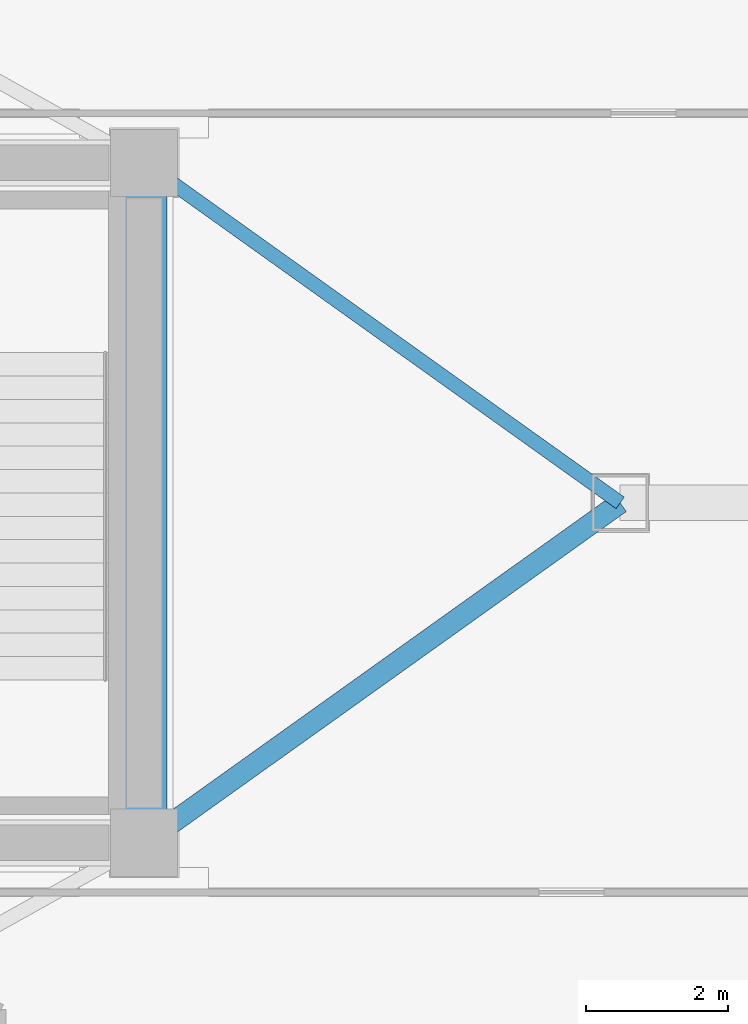
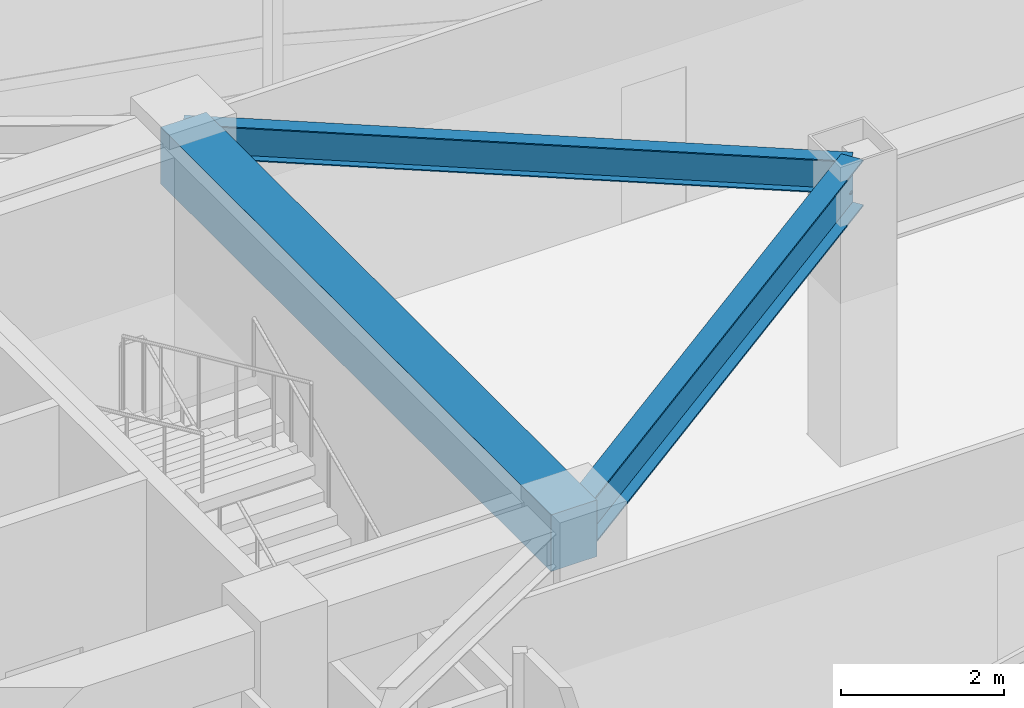
# One storey, part 7 of 17: 3 beams.
"""IFC4 building model written with IfcOpenShell, lengths in metres."""

import ifcopenshell
import ifcopenshell.guid

model = None  # the IFC model being written
_history = None  # IfcOwnerHistory: only IFC2X3 demands one
_inside = {}  # id of a spatial element -> (the spatial element, [elements in it])
_under = {}  # id of a project, library or spatial element -> (it, [spatial elements below it])
_declared = {}  # id of a project -> (the project, [libraries it declares])
_typed = {}  # id of a type object -> (the type object, [elements of that type])
_made_of = {}  # id of a material, layer set ... -> (it, [elements and type objects made of it])


def new_model(schema):
    """Start an empty IFC model of exactly this schema.

    Asked for "IFC4X3", IfcOpenShell would pick the latest addendum, in which some entities
    have other attributes; the version numbers below select the first issue.
    IFC2X3 requires an IfcOwnerHistory on every rooted entity: one is made here for all.
    """
    global model, _history
    if schema == "IFC4X3":
        model = ifcopenshell.file(schema_version=(4, 3, 0, 0))
    else:
        model = ifcopenshell.file(schema=schema)
    _inside.clear()
    _under.clear()
    _declared.clear()
    _typed.clear()
    _made_of.clear()
    _history = None
    if model.schema == "IFC2X3":
        org = make("IfcOrganization", Name="unknown")
        user = make(
            "IfcPersonAndOrganization",
            ThePerson=make("IfcPerson", FamilyName="unknown"),
            TheOrganization=org,
        )
        app = make(
            "IfcApplication",
            ApplicationDeveloper=org,
            Version="unknown",
            ApplicationFullName="unknown",
            ApplicationIdentifier="unknown",
        )
        _history = make(
            "IfcOwnerHistory",
            OwningUser=user,
            OwningApplication=app,
            ChangeAction="ADDED",
            CreationDate=0,
        )
    return model


def make(cls, **values):
    """One entity of the class cls with the attributes given. An attribute that is None is left unset."""
    return model.create_entity(
        cls, **{name: value for name, value in values.items() if value is not None}
    )


def rooted(cls, **values):
    """An entity with a GlobalId (a new one), such as an element, a storey or a relation."""
    return make(cls, GlobalId=ifcopenshell.guid.new(), OwnerHistory=_history, **values)


def si_unit(unit_type, name, prefix=None):
    """IfcSIUnit, for example si_unit("LENGTHUNIT", "METRE", prefix="MILLI")."""
    return make("IfcSIUnit", UnitType=unit_type, Prefix=prefix, Name=name)


def assignment(units):
    """IfcUnitAssignment: the units of a project."""
    return None if units is None else make("IfcUnitAssignment", Units=units)


def point(xyz):
    """IfcCartesianPoint."""
    return None if xyz is None else make("IfcCartesianPoint", Coordinates=xyz)


def direction(xyz):
    """IfcDirection."""
    return None if xyz is None else make("IfcDirection", DirectionRatios=xyz)


def frame(location, z_axis=None, x_axis=None):
    """IfcAxis2Placement3D, a coordinate frame: its origin and axes. An axis left out is left unset."""
    return make(
        "IfcAxis2Placement3D",
        Location=point(location),
        Axis=direction(z_axis),
        RefDirection=direction(x_axis),
    )


def frame_2d(location, x_axis=None):
    """IfcAxis2Placement2D, a coordinate frame in the plane: its origin and x axis."""
    return make(
        "IfcAxis2Placement2D", Location=point(location), RefDirection=direction(x_axis)
    )


def origin():
    """The frame at (0, 0, 0) with its axes left unset."""
    return frame((0.0, 0.0, 0.0))


def origin_2d():
    """The frame at (0, 0) in the plane with its x axis left unset."""
    return frame_2d((0.0, 0.0))


def place(relative_to, where):
    """IfcLocalPlacement: puts the frame where relative to a parent placement (None: the world)."""
    return make(
        "IfcLocalPlacement", PlacementRelTo=relative_to, RelativePlacement=where
    )


def context(
    kind, dimensions, precision=None, world=None, true_north=None, identifier=None
):
    """IfcGeometricRepresentationContext, for example the 3D "Model" context."""
    return make(
        "IfcGeometricRepresentationContext",
        ContextIdentifier=identifier,
        ContextType=kind,
        CoordinateSpaceDimension=dimensions,
        Precision=precision,
        WorldCoordinateSystem=world,
        TrueNorth=true_north,
    )


def subcontext(parent, identifier, kind, view, scale=None):
    """IfcGeometricRepresentationSubContext, for example "Body" below "Model"."""
    return make(
        "IfcGeometricRepresentationSubContext",
        ContextIdentifier=identifier,
        ContextType=kind,
        ParentContext=parent,
        TargetScale=scale,
        TargetView=view,
    )


def project(units=None, contexts=None):
    """IfcProject with its units and contexts."""
    return rooted(
        "IfcProject",
        Name="project",
        RepresentationContexts=contexts,
        UnitsInContext=assignment(units),
    )


def spatial(cls, under=None, at=None, **own):
    """A site, building, storey or space (cls), placed at a placement, below another one or the project."""
    s = rooted(cls, ObjectPlacement=at, **own)
    if under is not None:
        _under.setdefault(under.id(), (under, []))[1].append(s)
    return s


def profile(cls, at=None, kind="AREA", **sizes):
    """A parametric profile (cls). Its sizes go by their IFC names, for example OverallWidth=200.0."""
    return make(cls, ProfileType=kind, Position=at, **sizes)


def rectangle(**sizes):
    """IfcRectangleProfileDef."""
    return profile("IfcRectangleProfileDef", **sizes)


def i_section(**sizes):
    """IfcIShapeProfileDef."""
    return profile("IfcIShapeProfileDef", **sizes)


def extrude(swept, where, along, depth):
    """IfcExtrudedAreaSolid: the profile swept, set in the frame where, extruded along a direction by depth."""
    return make(
        "IfcExtrudedAreaSolid",
        SweptArea=swept,
        Position=where,
        ExtrudedDirection=direction(along),
        Depth=depth,
    )


def shape(context_of_items, identifier, shape_type, items):
    """IfcShapeRepresentation: the items that make up one representation, for example the "Body"."""
    return make(
        "IfcShapeRepresentation",
        ContextOfItems=context_of_items,
        RepresentationIdentifier=identifier,
        RepresentationType=shape_type,
        Items=items,
    )


def material(Name=None, Category=None):
    """IfcMaterial."""
    return make("IfcMaterial", Name=Name, Category=Category)


def material_profile(
    of_material, cross_section, Name=None, Category=None, Priority=None
):
    """IfcMaterialProfile: a cross section and its material."""
    return make(
        "IfcMaterialProfile",
        Name=Name,
        Material=of_material,
        Profile=cross_section,
        Priority=Priority,
        Category=Category,
    )


def profile_set(profiles, Name=None, composite=None):
    """IfcMaterialProfileSet."""
    return make(
        "IfcMaterialProfileSet",
        Name=Name,
        MaterialProfiles=profiles,
        CompositeProfile=composite,
    )


def made_of(thing, what):
    """Note that an element or type object is made of a material, layer set ...; save() writes the relation."""
    if what is not None:
        _made_of.setdefault(what.id(), (what, []))[1].append(thing)
    return thing


def type_object(cls, material=None, **own):
    """A type object (cls), such as IfcWallType, which elements share."""
    return made_of(rooted(cls, **own), material)


def element(
    cls,
    number,
    at=None,
    inside=None,
    cuts=None,
    type_object=None,
    material=None,
    context=None,
    identifier="Body",
    shape_type=None,
    held_by="IfcProductDefinitionShape",
    body=None,
    shapes=None,
    **own,
):
    """One element of the class cls, such as IfcWall. Its Tag is "e" and its number.

    at: its placement. inside: the storey or other place that contains it. cuts: it is an
    opening in that element (IfcRelVoidsElement). A single representation is given by context,
    identifier, shape_type and body (its items); several are given by shapes. held_by: the class
    of the entity that holds the representations. save() writes the other relations.
    """
    e = rooted(cls, Tag="e%d" % number, ObjectPlacement=at, **own)
    if body is not None:
        shapes = [shape(context, identifier, shape_type, body)]
    if shapes is not None:
        e.Representation = make(held_by, Representations=shapes)
    if inside is not None:
        _inside.setdefault(inside.id(), (inside, []))[1].append(e)
    if cuts is not None:
        rooted(
            "IfcRelVoidsElement", RelatingBuildingElement=cuts, RelatedOpeningElement=e
        )
    if type_object is not None:
        _typed.setdefault(type_object.id(), (type_object, []))[1].append(e)
    return made_of(e, material)


def aggregate(whole, parts):
    """IfcRelAggregates: a whole, such as a stair, and the parts it consists of."""
    return rooted("IfcRelAggregates", RelatingObject=whole, RelatedObjects=parts)


def save(model, path):
    """Write the relations noted so far, then the file.

    IfcRelAggregates (storeys below a building ...), IfcRelContainedInSpatialStructure (elements
    in a storey), IfcRelDefinesByType, IfcRelAssociatesMaterial and IfcRelDeclares: one each for
    every whole, place, type object, material and project.
    """
    for whole, parts in _under.values():
        aggregate(whole, parts)
    for where, things in _inside.values():
        rooted(
            "IfcRelContainedInSpatialStructure",
            RelatedElements=things,
            RelatingStructure=where,
        )
    for kind, things in _typed.values():
        rooted("IfcRelDefinesByType", RelatedObjects=things, RelatingType=kind)
    for what, things in _made_of.values():
        rooted("IfcRelAssociatesMaterial", RelatedObjects=things, RelatingMaterial=what)
    for by, libraries in _declared.values():
        rooted("IfcRelDeclares", RelatingContext=by, RelatedDefinitions=libraries)
    model.write(path)


model = new_model("IFC4")

# Units and contexts
model_context = context("Model", 3, precision=1e-05, world=origin(), true_north=direction((0.0, 1.0)))
body_context = subcontext(model_context, "Body", "Model", "MODEL_VIEW")
ifc_project = project(units=[si_unit("LENGTHUNIT", "METRE"), si_unit("AREAUNIT", "SQUARE_METRE"), si_unit("VOLUMEUNIT", "CUBIC_METRE"), si_unit("PLANEANGLEUNIT", "RADIAN"), si_unit("MASSUNIT", "GRAM", prefix="KILO")], contexts=[model_context])

# Site, building, storey
site_placement = place(None, origin())
site = spatial("IfcSite", under=ifc_project, at=site_placement, CompositionType="ELEMENT")
building_placement = place(site_placement, origin())
building = spatial("IfcBuilding", under=site, at=building_placement, Name="Menara Vayukalpa", CompositionType="ELEMENT")
storey_placement = place(building_placement, frame((0.0, 0.0, 242.639892578125)))
storey = spatial("IfcBuildingStorey", under=building, at=storey_placement, Name="L61", CompositionType="ELEMENT", Elevation=242.639892578125)

# Beams
ifc_material_1 = material(Name="Concrete C60/75", Category="concrete")
ifc_material_profile_1 = material_profile(ifc_material_1, rectangle(XDim=0.64990234375, YDim=0.85009765625, at=origin_2d()), Name="RC 650x850")
ifc_profile_set_1 = profile_set([ifc_material_profile_1], Name="Concrete C60/75")
beam_type_1 = type_object("IfcBeamType", Name="BM-CB1", PredefinedType="BEAM", material=ifc_profile_set_1)
beam_1_placement = place(storey_placement, frame((33.39990234375, 17.199951171875, 3.855224609375), z_axis=(0.0, 1.0, 0.0), x_axis=(-1.0, 0.0, 0.0)))
element("IfcBeam", 1, at=beam_1_placement, inside=storey, type_object=beam_type_1, Name="L61 Core Tie Beam CBR8", PredefinedType="BEAM", context=body_context, shape_type="SweptSolid", body=[
    extrude(rectangle(XDim=0.64990234375, YDim=0.85009765625, at=origin_2d()), origin(), (0.0, 0.0, 1.0), 9.60009765625),
])
ifc_material_2 = material(Name="Steel S355", Category="steel")
ifc_material_profile_2 = material_profile(ifc_material_2, i_section(OverallWidth=0.300048828125, OverallDepth=0.699951171875, WebThickness=0.012939453125, FlangeThickness=0.02392578125, at=origin_2d()), Name="WF 700x300x13x24")
ifc_profile_set_2 = profile_set([ifc_material_profile_2], Name="Steel S355")
beam_type_2 = type_object("IfcBeamType", Name="BM-PG5", PredefinedType="BEAM", material=ifc_profile_set_2)
beam_2_placement = place(storey_placement, frame((33.603515625, 17.34521484375, 3.93017578125), z_axis=(0.813801429135, 0.581143040859, 0.0), x_axis=(-0.581143040859, 0.813801429135, 0.0)))
element("IfcBeam", 2, at=beam_2_placement, inside=storey, type_object=beam_type_2, Name="L61 Primary Radial Girder RG01", PredefinedType="BEAM", context=body_context, shape_type="SweptSolid", body=[
    extrude(i_section(OverallWidth=0.300048828125, OverallDepth=0.699951171875, WebThickness=0.012939453125, FlangeThickness=0.02392578125, at=origin_2d()), origin(), (0.0, 0.0, 1.0), 8.009765625),
])
ifc_material_3 = material(Name="Steel S355", Category="steel")
ifc_material_profile_3 = material_profile(ifc_material_3, i_section(OverallWidth=0.199951171875, OverallDepth=0.5, WebThickness=0.010009765625, FlangeThickness=0.01611328125, at=origin_2d()), Name="WF 500x200x10x16")
ifc_profile_set_3 = profile_set([ifc_material_profile_3], Name="Steel S355")
beam_type_3 = type_object("IfcBeamType", Name="BM-SP3", PredefinedType="SPANDREL", material=ifc_profile_set_3)
beam_3_placement = place(storey_placement, frame((40.121826171875, 22.0, 4.030029296875), z_axis=(-0.813809355401, 0.581131941181, 0.0), x_axis=(-0.581131941181, -0.813809355401, 0.0)))
element("IfcBeam", 3, at=beam_3_placement, inside=storey, type_object=beam_type_3, Name="L61 Perimeter Spandrel Beam SP01", PredefinedType="SPANDREL", context=body_context, shape_type="SweptSolid", body=[
    extrude(i_section(OverallWidth=0.199951171875, OverallDepth=0.5, WebThickness=0.010009765625, FlangeThickness=0.01611328125, at=origin_2d()), origin(), (0.0, 0.0, 1.0), 8.259765625),
])

save(model, "model.ifc")
